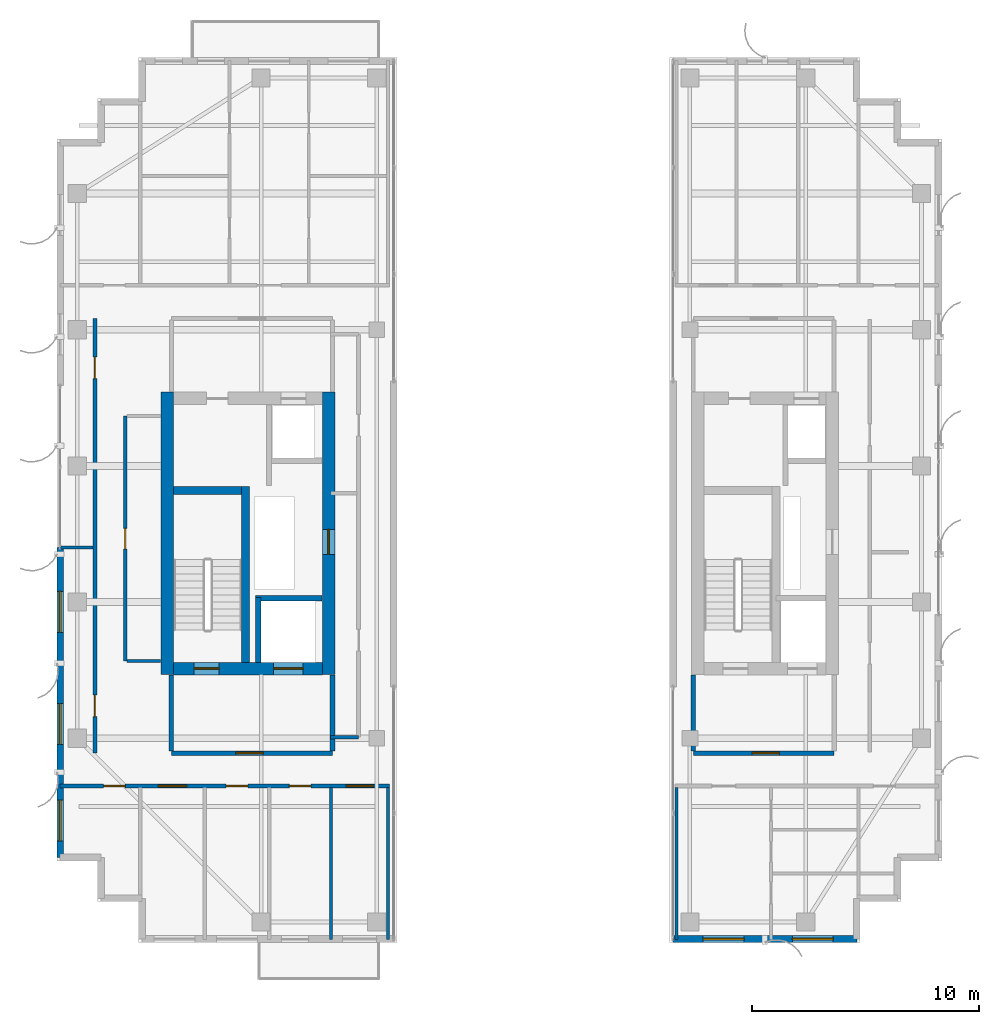
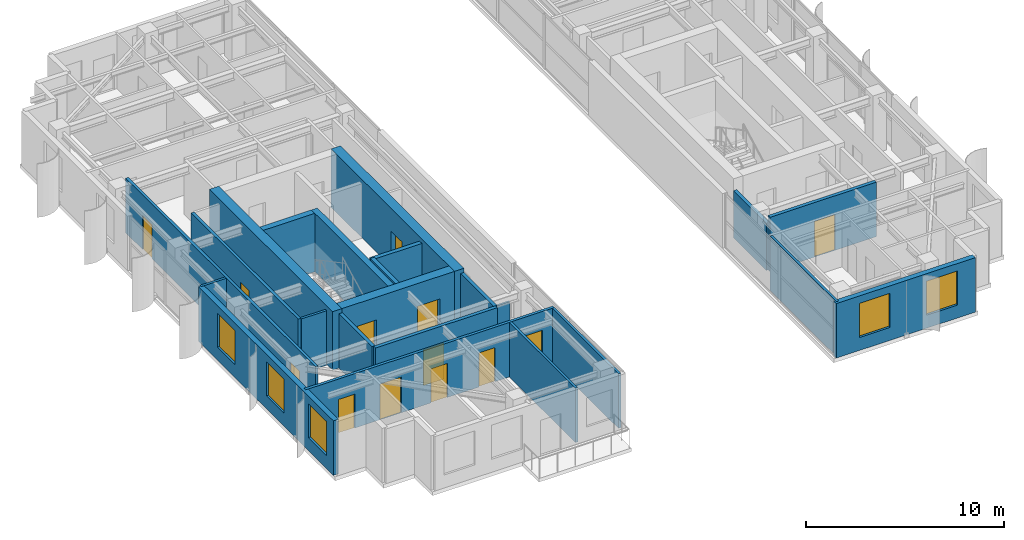
# One storey, part 17 of 23: 23 walls, 13 doors, 5 windows, 18 openings.
"""IFC4 building model written with IfcOpenShell, lengths in metres."""

from ifc_helpers import new_model, si_unit, direction, frame, frame_2d, origin, place, context, subcontext, project, spatial, rectangle, extrude, source, transform, mapped, material, layer, layer_set, type_object, element, fill, save


model = new_model("IFC4")

# Units and contexts
model_context = context("Model", 3, precision=1e-05, world=origin(), true_north=direction((0.0, 1.0)))
body_context = subcontext(model_context, "Body", "Model", "MODEL_VIEW")
ifc_project = project(units=[si_unit("LENGTHUNIT", "METRE"), si_unit("AREAUNIT", "SQUARE_METRE"), si_unit("VOLUMEUNIT", "CUBIC_METRE"), si_unit("PLANEANGLEUNIT", "RADIAN"), si_unit("MASSUNIT", "GRAM", prefix="KILO")], contexts=[model_context])

# Site, building, storey
site_placement = place(None, origin())
site = spatial("IfcSite", under=ifc_project, at=site_placement, CompositionType="ELEMENT")
building_placement = place(site_placement, origin())
building = spatial("IfcBuilding", under=site, at=building_placement, Name="Khoralis Quay Care Tower", CompositionType="ELEMENT")
storey_placement = place(building_placement, frame((0.0, 0.0, 245.699951171875)))
storey = spatial("IfcBuildingStorey", under=building, at=storey_placement, Name="L64", CompositionType="ELEMENT", Elevation=245.699951171875)

# Wall, opening, door
ifc_material_1 = material(Name="Gypsum plasterboard on acoustic metal stud")
ifc_layer_1 = layer(ifc_material_1, 0.199951171875)
ifc_layer_set_1 = layer_set([ifc_layer_1], Name="Gypsum plasterboard on acoustic metal stud")
wall_type_1 = type_object("IfcWallType", Name="WL-COMP-200", PredefinedType="PARTITIONING", material=ifc_layer_set_1)
wall_1_placement = place(storey_placement, frame((8.050048828125, 11.35009765625, 0.0), z_axis=(0.0, 0.0, 1.0), x_axis=(1.0, 0.0, 0.0)))
wall_1 = element("IfcWall", 1, at=wall_1_placement, inside=storey, type_object=wall_type_1, Name="L64 West Firefighting Lobby South Wall", PredefinedType="PARTITIONING", context=body_context, shape_type="SweptSolid", body=[
    extrude(rectangle(XDim=7.099853515625, YDim=0.199951171875, at=frame_2d((3.5498046875, 0.0))), origin(), (0.0, 0.0, 1.0), 3.360107421875),
])
opening_1_placement = place(wall_1_placement, frame((2.846435546875, 0.0, 0.0)))
opening_1 = element("IfcOpeningElement", 2, at=opening_1_placement, cuts=wall_1, Name="Opening FD1", PredefinedType="OPENING", context=body_context, shape_type="SweptSolid", body=[
    extrude(rectangle(XDim=1.199951171875, YDim=2.199951171875, at=frame_2d((0.60009765625, 1.10009765625))), frame((0.0, 0.10986328125, 0.0), z_axis=(0.0, -1.0, 0.0), x_axis=(1.0, 0.0, 0.0)), (0.0, 0.0, 1.0), 0.219970703125),
])
ifc_material_2 = material(Name="Fire-rated painted steel", Category="steel")
door_type_1 = type_object("IfcDoorType", Name="DR-FFL-1200X2200", OperationType="NOTDEFINED", PredefinedType="DOOR", material=ifc_material_2)
shared_shape_1 = source(origin(), body_context, "Body", "SweptSolid", [
    extrude(rectangle(XDim=1.199951171875, YDim=2.199951171875, at=frame_2d((0.60009765625, 1.10009765625))), frame((0.0, 0.02490234375, 0.0), z_axis=(0.0, -1.0, 0.0), x_axis=(1.0, 0.0, 0.0)), (0.0, 0.0, 1.0), 0.050048828125),
])
door_1_placement = place(opening_1_placement, origin())
door_1 = element("IfcDoor", 3, at=door_1_placement, inside=storey, type_object=door_type_1, Name="L64 West Firefighting Lobby Fire Door", OperationType="SINGLE_SWING_RIGHT", OverallHeight=2.199951171875, OverallWidth=1.199951171875, PredefinedType="DOOR", context=body_context, shape_type="MappedRepresentation", body=[
    mapped(shared_shape_1, transform((0.0, 0.0, 0.0), scale=1.0)),
])
fill(opening_1, door_1)

# Walls
for number, where, z_axis, x_axis, name in (
    (4, (8.050048828125, 11.445068359375, 0.0), (0.0, 0.0, 1.0), (0.0, 1.0, 0.0), "L64 West Firefighting Lobby West Wall"),
    (5, (15.14990234375, 11.445068359375, 0.0), (0.0, 0.0, 1.0), (0.0, 1.0, 0.0), "L64 West Firefighting Lobby East Wall"),
):
    element("IfcWall", number, at=place(storey_placement, frame(where, z_axis=z_axis, x_axis=x_axis)), inside=storey, type_object=wall_type_1, Name=name, PredefinedType="PARTITIONING", context=body_context, shape_type="SweptSolid", body=[
        extrude(rectangle(XDim=3.3349609375, YDim=0.199951171875, at=frame_2d((1.66748046875, 0.0))), origin(), (0.0, 0.0, 1.0), 3.360107421875),
    ])

# Wall, opening, door
wall_2_placement = place(storey_placement, frame((31.050048828125, 11.35009765625, 0.0), z_axis=(0.0, 0.0, 1.0), x_axis=(1.0, 0.0, 0.0)))
wall_2 = element("IfcWall", 6, at=wall_2_placement, inside=storey, type_object=wall_type_1, Name="L64 East Firefighting Lobby South Wall", PredefinedType="PARTITIONING", context=body_context, shape_type="SweptSolid", body=[
    extrude(rectangle(XDim=6.199951171875, YDim=0.199951171875, at=frame_2d((3.10009765625, 0.0))), origin(), (0.0, 0.0, 1.0), 3.360107421875),
])
opening_2_placement = place(wall_2_placement, frame((2.585693359375, 0.0, 0.0)))
opening_2 = element("IfcOpeningElement", 7, at=opening_2_placement, cuts=wall_2, Name="Opening FD1", PredefinedType="OPENING", context=body_context, shape_type="SweptSolid", body=[
    extrude(rectangle(XDim=1.199951171875, YDim=2.199951171875, at=frame_2d((0.60009765625, 1.10009765625))), frame((0.0, 0.10986328125, 0.0), z_axis=(0.0, -1.0, 0.0), x_axis=(1.0, 0.0, 0.0)), (0.0, 0.0, 1.0), 0.219970703125),
])
door_2_placement = place(opening_2_placement, origin())
door_2 = element("IfcDoor", 8, at=door_2_placement, inside=storey, type_object=door_type_1, Name="L64 East Firefighting Lobby Fire Door", OperationType="SINGLE_SWING_LEFT", OverallHeight=2.199951171875, OverallWidth=1.199951171875, PredefinedType="DOOR", context=body_context, shape_type="MappedRepresentation", body=[
    mapped(shared_shape_1, transform((0.0, 0.0, 0.0), scale=1.0)),
])
fill(opening_2, door_2)

# Walls
wall_3_placement = place(storey_placement, frame((31.050048828125, 11.445068359375, 0.0), z_axis=(0.0, 0.0, 1.0), x_axis=(0.0, 1.0, 0.0)))
element("IfcWall", 9, at=wall_3_placement, inside=storey, type_object=wall_type_1, Name="L64 East Firefighting Lobby West Wall", PredefinedType="PARTITIONING", context=body_context, shape_type="SweptSolid", body=[
    extrude(rectangle(XDim=3.3349609375, YDim=0.199951171875, at=frame_2d((1.66748046875, 0.0))), origin(), (0.0, 0.0, 1.0), 2.901123046875),
])
ifc_material_3 = material(Name="Concrete C65/80", Category="concrete")
ifc_layer_2 = layer(ifc_material_3, 0.550048828125)
ifc_layer_set_2 = layer_set([ifc_layer_2], Name="Concrete C65/80")
wall_type_2 = type_object("IfcWallType", Name="WL-CORE-550", PredefinedType="SHEAR", material=ifc_layer_set_2)
wall_4_placement = place(storey_placement, frame((7.875, 14.800048828125, 0.0), z_axis=(0.0, 0.0, 1.0), x_axis=(0.0, 1.0, 0.0)))
element("IfcWall", 10, at=wall_4_placement, inside=storey, type_object=wall_type_2, Name="L64 WCORE West Shear Wall", PredefinedType="SHEAR", context=body_context, shape_type="SweptSolid", body=[
    extrude(rectangle(XDim=12.449951171875, YDim=0.550048828125, at=frame_2d((6.22509765625, 0.0))), origin(), (0.0, 0.0, 1.0), 3.60009765625),
])

# Wall, opening, door
wall_5_placement = place(storey_placement, frame((14.97509765625, 14.800048828125, 0.0), z_axis=(0.0, 0.0, 1.0), x_axis=(0.0, 1.0, 0.0)))
wall_5 = element("IfcWall", 11, at=wall_5_placement, inside=storey, type_object=wall_type_2, Name="L64 WCORE East Shear Wall", PredefinedType="SHEAR", context=body_context, shape_type="SweptSolid", body=[
    extrude(rectangle(XDim=12.449951171875, YDim=0.550048828125, at=frame_2d((6.22509765625, 0.0))), origin(), (0.0, 0.0, 1.0), 3.60009765625),
])
opening_3_placement = place(wall_5_placement, frame((5.300048828125, 0.0, 0.0)))
opening_3 = element("IfcOpeningElement", 12, at=opening_3_placement, cuts=wall_5, Name="Opening SD1", PredefinedType="OPENING", context=body_context, shape_type="SweptSolid", body=[
    extrude(rectangle(XDim=1.10009765625, YDim=2.199951171875, at=frame_2d((0.550048828125, 1.10009765625))), frame((0.0, 0.28515625, 0.0), z_axis=(0.0, -1.0, 0.0), x_axis=(1.0, 0.0, 0.0)), (0.0, 0.0, 1.0), 0.570068359375),
])
door_type_2 = type_object("IfcDoorType", Name="DR-STAIR-1100X2200", OperationType="NOTDEFINED", PredefinedType="DOOR", material=ifc_material_2)
shared_shape_2 = source(origin(), body_context, "Body", "SweptSolid", [
    extrude(rectangle(XDim=1.10009765625, YDim=2.199951171875, at=frame_2d((0.550048828125, 1.10009765625))), frame((0.0, 0.02490234375, 0.0), z_axis=(0.0, -1.0, 0.0), x_axis=(1.0, 0.0, 0.0)), (0.0, 0.0, 1.0), 0.050048828125),
])
door_3_placement = place(opening_3_placement, origin())
door_3 = element("IfcDoor", 13, at=door_3_placement, inside=storey, type_object=door_type_2, Name="L64 West MEP Riser Door", OperationType="SINGLE_SWING_RIGHT", OverallHeight=2.199951171875, OverallWidth=1.10009765625, PredefinedType="DOOR", context=body_context, shape_type="MappedRepresentation", body=[
    mapped(shared_shape_2, transform((0.0, 0.0, 0.0), scale=1.0)),
])
fill(opening_3, door_3)

# Wall, openings, doors
wall_6_placement = place(storey_placement, frame((8.14990234375, 15.074951171875, 0.0), z_axis=(0.0, 0.0, 1.0), x_axis=(1.0, 0.0, 0.0)))
wall_6 = element("IfcWall", 14, at=wall_6_placement, inside=storey, type_object=wall_type_2, Name="L64 WCORE South Shear Wall", PredefinedType="SHEAR", context=body_context, shape_type="SweptSolid", body=[
    extrude(rectangle(XDim=6.550048828125, YDim=0.550048828125, at=frame_2d((3.27490234375, 0.0))), origin(), (0.0, 0.0, 1.0), 3.60009765625),
])
opening_4_placement = place(wall_6_placement, frame((0.89990234375, 0.0, 0.0)))
opening_4 = element("IfcOpeningElement", 15, at=opening_4_placement, cuts=wall_6, Name="Opening SD1", PredefinedType="OPENING", context=body_context, shape_type="SweptSolid", body=[
    extrude(rectangle(XDim=1.10009765625, YDim=2.199951171875, at=frame_2d((0.550048828125, 1.10009765625))), frame((0.0, 0.28515625, 0.0), z_axis=(0.0, -1.0, 0.0), x_axis=(1.0, 0.0, 0.0)), (0.0, 0.0, 1.0), 0.570068359375),
])
opening_5_placement = place(wall_6_placement, frame((4.39990234375, 0.0, 0.0)))
opening_5 = element("IfcOpeningElement", 16, at=opening_5_placement, cuts=wall_6, Name="Opening LD2", PredefinedType="OPENING", context=body_context, shape_type="SweptSolid", body=[
    extrude(rectangle(XDim=1.300048828125, YDim=2.199951171875, at=frame_2d((0.64990234375, 1.10009765625))), frame((0.0, 0.28515625, 0.0), z_axis=(0.0, -1.0, 0.0), x_axis=(1.0, 0.0, 0.0)), (0.0, 0.0, 1.0), 0.570068359375),
])
door_4_placement = place(opening_4_placement, origin())
door_4 = element("IfcDoor", 17, at=door_4_placement, inside=storey, type_object=door_type_2, Name="L64 Stair ST-T1 Fire Door", OperationType="SINGLE_SWING_RIGHT", OverallHeight=2.199951171875, OverallWidth=1.10009765625, PredefinedType="DOOR", context=body_context, shape_type="MappedRepresentation", body=[
    mapped(shared_shape_2, transform((0.0, 0.0, 0.0), scale=1.0)),
])
fill(opening_4, door_4)
ifc_material_4 = material(Name="Brushed stainless steel", Category="steel")
door_type_3 = type_object("IfcDoorType", Name="DR-LIFT-1300X2200", OperationType="SLIDING_TO_RIGHT", PredefinedType="DOOR", material=ifc_material_4)
shared_shape_3 = source(origin(), body_context, "Body", "SweptSolid", [
    extrude(rectangle(XDim=1.300048828125, YDim=2.199951171875, at=frame_2d((0.64990234375, 1.10009765625))), frame((0.0, 0.02490234375, 0.0), z_axis=(0.0, -1.0, 0.0), x_axis=(1.0, 0.0, 0.0)), (0.0, 0.0, 1.0), 0.050048828125),
])
door_5_placement = place(opening_5_placement, origin())
door_5 = element("IfcDoor", 18, at=door_5_placement, inside=storey, type_object=door_type_3, Name="L64 Firefighting Lift FFL-1 Landing Door", OperationType="SLIDING_TO_RIGHT", OverallHeight=2.199951171875, OverallWidth=1.300048828125, PredefinedType="DOOR", context=body_context, shape_type="MappedRepresentation", body=[
    mapped(shared_shape_3, transform((0.0, 0.0, 0.0), scale=1.0)),
])
fill(opening_5, door_5)

# Wall, opening, door
ifc_layer_3 = layer(ifc_material_1, 0.1650390625)
ifc_layer_set_3 = layer_set([ifc_layer_3], Name="Gypsum plasterboard on acoustic metal stud")
wall_type_3 = type_object("IfcWallType", Name="WL-CORR-165", PredefinedType="PARTITIONING", material=ifc_layer_set_3)
wall_7_placement = place(storey_placement, frame((6.02001953125, 15.39990234375, 0.0), z_axis=(0.0, 0.0, 1.0), x_axis=(0.0, 1.0, 0.0)))
wall_7 = element("IfcWall", 19, at=wall_7_placement, inside=storey, type_object=wall_type_3, Name="L64 West Core Service Flank Wall", PredefinedType="PARTITIONING", context=body_context, shape_type="SweptSolid", body=[
    extrude(rectangle(XDim=10.800048828125, YDim=0.1650390625, at=frame_2d((5.39990234375, 0.0))), origin(), (0.0, 0.0, 1.0), 3.360107421875),
])
opening_6_placement = place(wall_7_placement, frame((4.949951171875, 0.0, 0.0)))
opening_6 = element("IfcOpeningElement", 20, at=opening_6_placement, cuts=wall_7, Name="Opening WD1", PredefinedType="OPENING", context=body_context, shape_type="SweptSolid", body=[
    extrude(rectangle(XDim=0.89990234375, YDim=2.10009765625, at=frame_2d((0.449951171875, 1.050048828125))), frame((0.0, 0.092529296875, 0.0), z_axis=(0.0, -1.0, 0.0), x_axis=(1.0, 0.0, 0.0)), (0.0, 0.0, 1.0), 0.18505859375),
])
ifc_material_5 = material(Name="Acoustic hardwood timber", Category="wood")
door_type_4 = type_object("IfcDoorType", Name="DR-BATH-900X2100", OperationType="NOTDEFINED", PredefinedType="DOOR", material=ifc_material_5)
shared_shape_4 = source(origin(), body_context, "Body", "SweptSolid", [
    extrude(rectangle(XDim=0.89990234375, YDim=2.10009765625, at=frame_2d((0.449951171875, 1.050048828125))), frame((0.0, 0.02490234375, 0.0), z_axis=(0.0, -1.0, 0.0), x_axis=(1.0, 0.0, 0.0)), (0.0, 0.0, 1.0), 0.050048828125),
])
door_6_placement = place(opening_6_placement, frame((0.89990234375, 0.0, 0.0), z_axis=(0.0, 0.0, 1.0), x_axis=(-1.0, 0.0, 0.0)))
door_6 = element("IfcDoor", 21, at=door_6_placement, inside=storey, type_object=door_type_4, Name="L64 Housekeeping & Public Accessible WC Door", OperationType="SINGLE_SWING_LEFT", OverallHeight=2.10009765625, OverallWidth=0.89990234375, PredefinedType="DOOR", context=body_context, shape_type="MappedRepresentation", body=[
    mapped(shared_shape_4, transform((0.0, 0.0, 0.0), scale=1.0)),
])
fill(opening_6, door_6)

# Wall, openings, doors
wall_8_placement = place(storey_placement, frame((3.14501953125, 9.89990234375, 0.0), z_axis=(0.0, 0.0, 1.0), x_axis=(1.0, 0.0, 0.0)))
wall_8 = element("IfcWall", 22, at=wall_8_placement, inside=storey, type_object=wall_type_3, Name="L64 West Wing South Corridor Wall", PredefinedType="PARTITIONING", context=body_context, shape_type="SweptSolid", body=[
    extrude(rectangle(XDim=14.5048828125, YDim=0.1650390625, at=frame_2d((7.25244140625, 0.0))), origin(), (0.0, 0.0, 1.0), 3.360107421875),
])
opening_7_placement = place(wall_8_placement, frame((4.330078125, 0.0, 0.0)))
opening_7 = element("IfcOpeningElement", 23, at=opening_7_placement, cuts=wall_8, Name="Opening CD1", PredefinedType="OPENING", context=body_context, shape_type="SweptSolid", body=[
    extrude(rectangle(XDim=1.25, YDim=2.199951171875, at=frame_2d((0.625, 1.10009765625))), frame((0.0, 0.092529296875, 0.0), z_axis=(0.0, -1.0, 0.0), x_axis=(1.0, 0.0, 0.0)), (0.0, 0.0, 1.0), 0.18505859375),
])
opening_8_placement = place(wall_8_placement, frame((7.320068359375, 0.0, 0.0)))
opening_8 = element("IfcOpeningElement", 24, at=opening_8_placement, cuts=wall_8, Name="Opening ID1", PredefinedType="OPENING", context=body_context, shape_type="SweptSolid", body=[
    extrude(rectangle(XDim=0.949951171875, YDim=2.10009765625, at=frame_2d((0.47509765625, 1.050048828125))), frame((0.0, 0.092529296875, 0.0), z_axis=(0.0, -1.0, 0.0), x_axis=(1.0, 0.0, 0.0)), (0.0, 0.0, 1.0), 0.18505859375),
])
opening_9_placement = place(wall_8_placement, frame((10.10498046875, 0.0, 0.0)))
opening_9 = element("IfcOpeningElement", 25, at=opening_9_placement, cuts=wall_8, Name="Opening ID1", PredefinedType="OPENING", context=body_context, shape_type="SweptSolid", body=[
    extrude(rectangle(XDim=0.949951171875, YDim=2.10009765625, at=frame_2d((0.47509765625, 1.050048828125))), frame((0.0, 0.092529296875, 0.0), z_axis=(0.0, -1.0, 0.0), x_axis=(1.0, 0.0, 0.0)), (0.0, 0.0, 1.0), 0.18505859375),
])
opening_10_placement = place(wall_8_placement, frame((12.60009765625, 0.0, 0.0)))
opening_10 = element("IfcOpeningElement", 26, at=opening_10_placement, cuts=wall_8, Name="Opening FD1", PredefinedType="OPENING", context=body_context, shape_type="SweptSolid", body=[
    extrude(rectangle(XDim=1.199951171875, YDim=2.199951171875, at=frame_2d((0.60009765625, 1.10009765625))), frame((0.0, 0.092529296875, 0.0), z_axis=(0.0, -1.0, 0.0), x_axis=(1.0, 0.0, 0.0)), (0.0, 0.0, 1.0), 0.18505859375),
])
opening_11_placement = place(wall_8_placement, frame((1.919921875, 0.0, 0.0)))
opening_11 = element("IfcOpeningElement", 27, at=opening_11_placement, cuts=wall_8, Name="Opening ID1", PredefinedType="OPENING", context=body_context, shape_type="SweptSolid", body=[
    extrude(rectangle(XDim=0.949951171875, YDim=2.10009765625, at=frame_2d((0.47509765625, 1.050048828125))), frame((0.0, 0.092529296875, 0.0), z_axis=(0.0, -1.0, 0.0), x_axis=(1.0, 0.0, 0.0)), (0.0, 0.0, 1.0), 0.18505859375),
])
door_7_placement = place(opening_10_placement, frame((1.199951171875, 0.0, 0.0), z_axis=(0.0, 0.0, 1.0), x_axis=(-1.0, 0.0, 0.0)))
door_7 = element("IfcDoor", 28, at=door_7_placement, inside=storey, type_object=door_type_1, Name="L64 Senior Wellness Pharmacy Shop Door", OperationType="DOUBLE_DOOR_SINGLE_SWING", OverallHeight=2.199951171875, OverallWidth=1.199951171875, PredefinedType="DOOR", context=body_context, shape_type="MappedRepresentation", body=[
    mapped(shared_shape_1, transform((0.0, 0.0, 0.0), scale=1.0)),
])
fill(opening_10, door_7)
door_type_5 = type_object("IfcDoorType", Name="DR-CARE-1250X2200", OperationType="NOTDEFINED", PredefinedType="DOOR", material=ifc_material_5)
shared_shape_5 = source(origin(), body_context, "Body", "SweptSolid", [
    extrude(rectangle(XDim=1.25, YDim=2.199951171875, at=frame_2d((0.625, 1.10009765625))), frame((0.0, 0.02490234375, 0.0), z_axis=(0.0, -1.0, 0.0), x_axis=(1.0, 0.0, 0.0)), (0.0, 0.0, 1.0), 0.050048828125),
])
door_8_placement = place(opening_7_placement, frame((1.25, 0.0, 0.0), z_axis=(0.0, 0.0, 1.0), x_axis=(-1.0, 0.0, 0.0)))
door_8 = element("IfcDoor", 29, at=door_8_placement, inside=storey, type_object=door_type_5, Name="L64 Geriatric Consultation Clinic Door", OperationType="SINGLE_SWING_LEFT", OverallHeight=2.199951171875, OverallWidth=1.25, PredefinedType="DOOR", context=body_context, shape_type="MappedRepresentation", body=[
    mapped(shared_shape_5, transform((0.0, 0.0, 0.0), scale=1.0)),
])
fill(opening_7, door_8)
door_type_6 = type_object("IfcDoorType", Name="DR-ROOM-950X2100", OperationType="NOTDEFINED", PredefinedType="DOOR", material=ifc_material_5)
shared_shape_6 = source(origin(), body_context, "Body", "SweptSolid", [
    extrude(rectangle(XDim=0.949951171875, YDim=2.10009765625, at=frame_2d((0.47509765625, 1.050048828125))), frame((0.0, 0.02490234375, 0.0), z_axis=(0.0, -1.0, 0.0), x_axis=(1.0, 0.0, 0.0)), (0.0, 0.0, 1.0), 0.050048828125),
])
door_9_placement = place(opening_8_placement, frame((0.949951171875, 0.0, 0.0), z_axis=(0.0, 0.0, 1.0), x_axis=(-1.0, 0.0, 0.0)))
door_9 = element("IfcDoor", 30, at=door_9_placement, inside=storey, type_object=door_type_6, Name="L64 Family Case Conference Room Door", OperationType="SINGLE_SWING_LEFT", OverallHeight=2.10009765625, OverallWidth=0.949951171875, PredefinedType="DOOR", context=body_context, shape_type="MappedRepresentation", body=[
    mapped(shared_shape_6, transform((0.0, 0.0, 0.0), scale=1.0)),
])
fill(opening_8, door_9)
door_10_placement = place(opening_9_placement, frame((0.949951171875, 0.0, 0.0), z_axis=(0.0, 0.0, 1.0), x_axis=(-1.0, 0.0, 0.0)))
door_10 = element("IfcDoor", 31, at=door_10_placement, inside=storey, type_object=door_type_6, Name="L64 Care Coordination Office Door", OperationType="SINGLE_SWING_RIGHT", OverallHeight=2.10009765625, OverallWidth=0.949951171875, PredefinedType="DOOR", context=body_context, shape_type="MappedRepresentation", body=[
    mapped(shared_shape_6, transform((0.0, 0.0, 0.0), scale=1.0)),
])
fill(opening_9, door_10)
door_11_placement = place(opening_11_placement, frame((0.949951171875, 0.0, 0.0), z_axis=(0.0, 0.0, 1.0), x_axis=(-1.0, 0.0, 0.0)))
door_11 = element("IfcDoor", 32, at=door_11_placement, inside=storey, type_object=door_type_6, Name="L64 SW Corner Door", OperationType="SINGLE_SWING_LEFT", OverallHeight=2.10009765625, OverallWidth=0.949951171875, PredefinedType="DOOR", context=body_context, shape_type="MappedRepresentation", body=[
    mapped(shared_shape_6, transform((0.0, 0.0, 0.0), scale=1.0)),
])
fill(opening_11, door_11)

wall_9_placement = place(storey_placement, frame((4.679931640625, 11.35009765625, 0.0), z_axis=(0.0, 0.0, 1.0), x_axis=(0.0, 1.0, 0.0)))
wall_9 = element("IfcWall", 33, at=wall_9_placement, inside=storey, type_object=wall_type_3, Name="L64 West Mid South Entry Wall", PredefinedType="PARTITIONING", context=body_context, shape_type="SweptSolid", body=[
    extrude(rectangle(XDim=19.14990234375, YDim=0.1650390625, at=frame_2d((9.574951171875, 0.0))), origin(), (0.0, 0.0, 1.0), 3.360107421875),
])
opening_12_placement = place(wall_9_placement, frame((1.60009765625, 0.0, 0.0)))
opening_12 = element("IfcOpeningElement", 34, at=opening_12_placement, cuts=wall_9, Name="Opening ID1", PredefinedType="OPENING", context=body_context, shape_type="SweptSolid", body=[
    extrude(rectangle(XDim=0.949951171875, YDim=2.10009765625, at=frame_2d((0.47509765625, 1.050048828125))), frame((0.0, 0.092529296875, 0.0), z_axis=(0.0, -1.0, 0.0), x_axis=(1.0, 0.0, 0.0)), (0.0, 0.0, 1.0), 0.18505859375),
])
opening_13_placement = place(wall_9_placement, frame((16.5, 0.0, 0.0)))
opening_13 = element("IfcOpeningElement", 35, at=opening_13_placement, cuts=wall_9, Name="Opening ID1", PredefinedType="OPENING", context=body_context, shape_type="SweptSolid", body=[
    extrude(rectangle(XDim=0.949951171875, YDim=2.10009765625, at=frame_2d((0.47509765625, 1.050048828125))), frame((0.0, 0.092529296875, 0.0), z_axis=(0.0, -1.0, 0.0), x_axis=(1.0, 0.0, 0.0)), (0.0, 0.0, 1.0), 0.18505859375),
])
door_12_placement = place(opening_12_placement, frame((0.949951171875, 0.0, 0.0), z_axis=(0.0, 0.0, 1.0), x_axis=(-1.0, 0.0, 0.0)))
door_12 = element("IfcDoor", 36, at=door_12_placement, inside=storey, type_object=door_type_6, Name="L64 West Waterfront Living Suite Door", OperationType="SINGLE_SWING_LEFT", OverallHeight=2.10009765625, OverallWidth=0.949951171875, PredefinedType="DOOR", context=body_context, shape_type="MappedRepresentation", body=[
    mapped(shared_shape_6, transform((0.0, 0.0, 0.0), scale=1.0)),
])
fill(opening_12, door_12)
door_13_placement = place(opening_13_placement, frame((0.949951171875, 0.0, 0.0), z_axis=(0.0, 0.0, 1.0), x_axis=(-1.0, 0.0, 0.0)))
door_13 = element("IfcDoor", 37, at=door_13_placement, inside=storey, type_object=door_type_6, Name="L64 West Daylight Care Bedroom Door", OperationType="SINGLE_SWING_RIGHT", OverallHeight=2.10009765625, OverallWidth=0.949951171875, PredefinedType="DOOR", context=body_context, shape_type="MappedRepresentation", body=[
    mapped(shared_shape_6, transform((0.0, 0.0, 0.0), scale=1.0)),
])
fill(opening_13, door_13)

# Wall, openings, windows
ifc_material_6 = material(Name="Precast concrete C45/55", Category="concrete")
ifc_layer_4 = layer(ifc_material_6, 0.300048828125)
ifc_layer_set_4 = layer_set([ifc_layer_4], Name="Precast concrete C45/55")
wall_type_4 = type_object("IfcWallType", Name="WL-EXT-REF-300", PredefinedType="SOLIDWALL", material=ifc_layer_set_4)
wall_10_placement = place(storey_placement, frame((3.14990234375, 20.39990234375, 0.0), z_axis=(0.0, 0.0, 1.0), x_axis=(0.0, -1.0, 0.0)))
wall_10 = element("IfcWall", 38, at=wall_10_placement, inside=storey, type_object=wall_type_4, Name="L64 External Facade Wall WL-EXT-L64-P1-E7B", PredefinedType="SOLIDWALL", context=body_context, shape_type="SweptSolid", body=[
    extrude(rectangle(XDim=13.64990234375, YDim=0.300048828125, at=frame_2d((6.824951171875, 0.0))), origin(), (0.0, 0.0, 1.0), 3.360107421875),
])
opening_14_placement = place(wall_10_placement, frame((1.929931640625, 0.0, 0.800048828125)))
opening_14 = element("IfcOpeningElement", 39, at=opening_14_placement, cuts=wall_10, Name="Opening W2", PredefinedType="OPENING", context=body_context, shape_type="SweptSolid", body=[
    extrude(rectangle(XDim=1.800048828125, YDim=2.10009765625, at=frame_2d((0.89990234375, 1.050048828125))), frame((0.0, 0.16015625, 0.0), z_axis=(0.0, -1.0, 0.0), x_axis=(1.0, 0.0, 0.0)), (0.0, 0.0, 1.0), 0.320068359375),
])
opening_15_placement = place(wall_10_placement, frame((6.8701171875, 0.0, 0.800048828125)))
opening_15 = element("IfcOpeningElement", 40, at=opening_15_placement, cuts=wall_10, Name="Opening W2", PredefinedType="OPENING", context=body_context, shape_type="SweptSolid", body=[
    extrude(rectangle(XDim=1.800048828125, YDim=2.10009765625, at=frame_2d((0.89990234375, 1.050048828125))), frame((0.0, 0.16015625, 0.0), z_axis=(0.0, -1.0, 0.0), x_axis=(1.0, 0.0, 0.0)), (0.0, 0.0, 1.0), 0.320068359375),
])
opening_16_placement = place(wall_10_placement, frame((11.125, 0.0, 0.800048828125)))
opening_16 = element("IfcOpeningElement", 41, at=opening_16_placement, cuts=wall_10, Name="Opening W2", PredefinedType="OPENING", context=body_context, shape_type="SweptSolid", body=[
    extrude(rectangle(XDim=1.800048828125, YDim=2.10009765625, at=frame_2d((0.89990234375, 1.050048828125))), frame((0.0, 0.16015625, 0.0), z_axis=(0.0, -1.0, 0.0), x_axis=(1.0, 0.0, 0.0)), (0.0, 0.0, 1.0), 0.320068359375),
])
ifc_material_7 = material(Name="Low-E solar-control double glazing", Category="glass")
window_type = type_object("IfcWindowType", Name="WN-POD-1800X2100", PartitioningType="SINGLE_PANEL", PredefinedType="WINDOW", material=ifc_material_7)
shared_shape_7 = source(origin(), body_context, "Body", "SweptSolid", [
    extrude(rectangle(XDim=1.800048828125, YDim=2.10009765625, at=frame_2d((0.89990234375, 1.050048828125))), frame((0.0, 0.030029296875, 0.0), z_axis=(0.0, -1.0, 0.0), x_axis=(1.0, 0.0, 0.0)), (0.0, 0.0, 1.0), 0.06005859375),
])
window_1_placement = place(opening_14_placement, origin())
window_1 = element("IfcWindow", 42, at=window_1_placement, inside=storey, type_object=window_type, Name="WN-L64-P1-E7B Facade Window 01", OverallHeight=2.10009765625, OverallWidth=1.800048828125, PartitioningType="SINGLE_PANEL", PredefinedType="WINDOW", context=body_context, shape_type="MappedRepresentation", body=[
    mapped(shared_shape_7, transform((0.0, 0.0, 0.0), scale=1.0)),
])
fill(opening_14, window_1)
window_2_placement = place(opening_15_placement, origin())
window_2 = element("IfcWindow", 43, at=window_2_placement, inside=storey, type_object=window_type, Name="WN-L64-P1-E7B Facade Window 02", OverallHeight=2.10009765625, OverallWidth=1.800048828125, PartitioningType="SINGLE_PANEL", PredefinedType="WINDOW", context=body_context, shape_type="MappedRepresentation", body=[
    mapped(shared_shape_7, transform((0.0, 0.0, 0.0), scale=1.0)),
])
fill(opening_15, window_2)
window_3_placement = place(opening_16_placement, origin())
window_3 = element("IfcWindow", 44, at=window_3_placement, inside=storey, type_object=window_type, Name="WN-L64-P1-E7B Facade Window 03", OverallHeight=2.10009765625, OverallWidth=1.800048828125, PartitioningType="SINGLE_PANEL", PredefinedType="WINDOW", context=body_context, shape_type="MappedRepresentation", body=[
    mapped(shared_shape_7, transform((0.0, 0.0, 0.0), scale=1.0)),
])
fill(opening_16, window_3)

wall_11_placement = place(storey_placement, frame((30.14990234375, 3.14990234375, 0.0), z_axis=(0.0, 0.0, 1.0), x_axis=(1.0, 0.0, 0.0)))
wall_11 = element("IfcWall", 45, at=wall_11_placement, inside=storey, type_object=wall_type_4, Name="L64 External Facade Wall WL-EXT-L64-P2-E0", PredefinedType="SOLIDWALL", context=body_context, shape_type="SweptSolid", body=[
    extrude(rectangle(XDim=8.10009765625, YDim=0.300048828125, at=frame_2d((4.050048828125, 0.0))), origin(), (0.0, 0.0, 1.0), 3.360107421875),
])
opening_17_placement = place(wall_11_placement, frame((1.3349609375, 0.0, 0.800048828125)))
opening_17 = element("IfcOpeningElement", 46, at=opening_17_placement, cuts=wall_11, Name="Opening W2", PredefinedType="OPENING", context=body_context, shape_type="SweptSolid", body=[
    extrude(rectangle(XDim=1.800048828125, YDim=2.10009765625, at=frame_2d((0.89990234375, 1.050048828125))), frame((0.0, 0.16015625, 0.0), z_axis=(0.0, -1.0, 0.0), x_axis=(1.0, 0.0, 0.0)), (0.0, 0.0, 1.0), 0.320068359375),
])
opening_18_placement = place(wall_11_placement, frame((5.260009765625, 0.0, 0.800048828125)))
opening_18 = element("IfcOpeningElement", 47, at=opening_18_placement, cuts=wall_11, Name="Opening W2", PredefinedType="OPENING", context=body_context, shape_type="SweptSolid", body=[
    extrude(rectangle(XDim=1.800048828125, YDim=2.10009765625, at=frame_2d((0.89990234375, 1.050048828125))), frame((0.0, 0.16015625, 0.0), z_axis=(0.0, -1.0, 0.0), x_axis=(1.0, 0.0, 0.0)), (0.0, 0.0, 1.0), 0.320068359375),
])
window_4_placement = place(opening_17_placement, origin())
window_4 = element("IfcWindow", 48, at=window_4_placement, inside=storey, type_object=window_type, Name="WN-L64-P2-E0 Facade Window 01", OverallHeight=2.10009765625, OverallWidth=1.800048828125, PartitioningType="SINGLE_PANEL", PredefinedType="WINDOW", context=body_context, shape_type="MappedRepresentation", body=[
    mapped(shared_shape_7, transform((0.0, 0.0, 0.0), scale=1.0)),
])
fill(opening_17, window_4)
window_5_placement = place(opening_18_placement, origin())
window_5 = element("IfcWindow", 49, at=window_5_placement, inside=storey, type_object=window_type, Name="WN-L64-P2-E0 Facade Window 02", OverallHeight=2.10009765625, OverallWidth=1.800048828125, PartitioningType="SINGLE_PANEL", PredefinedType="WINDOW", context=body_context, shape_type="MappedRepresentation", body=[
    mapped(shared_shape_7, transform((0.0, 0.0, 0.0), scale=1.0)),
])
fill(opening_18, window_5)

# Walls
ifc_material_8 = material(Name="Concrete C40/50", Category="concrete")
ifc_layer_5 = layer(ifc_material_8, 0.35009765625)
ifc_layer_set_5 = layer_set([ifc_layer_5], Name="Concrete C40/50")
wall_type_5 = type_object("IfcWallType", Name="WL-SC-CORE-350", PredefinedType="SHEAR", material=ifc_layer_set_5)
wall_12_placement = place(storey_placement, frame((11.324951171875, 15.35009765625, 0.0), z_axis=(0.0, 0.0, 1.0), x_axis=(0.0, 1.0, 0.0)))
element("IfcWall", 50, at=wall_12_placement, inside=storey, type_object=wall_type_5, Name="L64 Stair ST-T1 Shear Baffle Wall East", PredefinedType="SHEAR", context=body_context, shape_type="SweptSolid", body=[
    extrude(rectangle(XDim=7.75, YDim=0.35009765625, at=frame_2d((3.875, 0.0))), origin(), (0.0, 0.0, 1.0), 3.60009765625),
])
wall_13_placement = place(storey_placement, frame((8.14990234375, 22.925048828125, 0.0), z_axis=(0.0, 0.0, 1.0), x_axis=(1.0, 0.0, 0.0)))
element("IfcWall", 51, at=wall_13_placement, inside=storey, type_object=wall_type_5, Name="L64 Stair ST-T1 Shear Baffle Wall North", PredefinedType="SHEAR", context=body_context, shape_type="SweptSolid", body=[
    extrude(rectangle(XDim=3.0, YDim=0.35009765625, at=frame_2d((1.5, 0.0))), origin(), (0.0, 0.0, 1.0), 3.60009765625),
])
ifc_layer_6 = layer(ifc_material_1, 0.239990234375)
ifc_layer_set_6 = layer_set([ifc_layer_6], Name="Gypsum plasterboard on acoustic metal stud")
wall_type_6 = type_object("IfcWallType", Name="WL-SHAFT-240", PredefinedType="PARTITIONING", material=ifc_layer_set_6)
wall_14_placement = place(storey_placement, frame((11.8798828125, 15.35009765625, 0.0), z_axis=(0.0, 0.0, 1.0), x_axis=(0.0, 1.0, 0.0)))
element("IfcWall", 52, at=wall_14_placement, inside=storey, type_object=wall_type_6, Name="L64 FFL-1 Shaft Wall West", PredefinedType="PARTITIONING", context=body_context, shape_type="SweptSolid", body=[
    extrude(rectangle(XDim=2.849853515625, YDim=0.239990234375, at=frame_2d((1.4248046875, 0.0))), origin(), (0.0, 0.0, 1.0), 3.360107421875),
])
wall_15_placement = place(storey_placement, frame((11.760009765625, 18.169921875, 0.0), z_axis=(0.0, 0.0, 1.0), x_axis=(1.0, 0.0, 0.0)))
element("IfcWall", 53, at=wall_15_placement, inside=storey, type_object=wall_type_6, Name="L64 FFL-1 Shaft Wall North", PredefinedType="PARTITIONING", context=body_context, shape_type="SweptSolid", body=[
    extrude(rectangle(XDim=2.919921875, YDim=0.239990234375, at=frame_2d((1.4599609375, 0.0))), origin(), (0.0, 0.0, 1.0), 3.360107421875),
])
ifc_layer_7 = layer(ifc_material_1, 0.139892578125)
ifc_layer_set_7 = layer_set([ifc_layer_7], Name="Gypsum plasterboard on acoustic metal stud")
wall_type_7 = type_object("IfcWallType", Name="WL-UNIT-140", PredefinedType="PARTITIONING", material=ifc_layer_set_7)
wall_16_placement = place(storey_placement, frame((6.097412109375, 15.39990234375, 0.0), z_axis=(0.0, 0.0, 1.0), x_axis=(1.0, 0.0, 0.0)))
element("IfcWall", 54, at=wall_16_placement, inside=storey, type_object=wall_type_7, Name="L64 West Flank South Cap", PredefinedType="PARTITIONING", context=body_context, shape_type="SweptSolid", body=[
    extrude(rectangle(XDim=1.462646484375, YDim=0.139892578125, at=frame_2d((0.7314453125, 0.0))), origin(), (0.0, 0.0, 1.0), 3.360107421875),
])
wall_17_placement = place(storey_placement, frame((3.14501953125, 20.39990234375, 0.0), z_axis=(0.0, 0.0, 1.0), x_axis=(1.0, 0.0, 0.0)))
element("IfcWall", 55, at=wall_17_placement, inside=storey, type_object=wall_type_7, Name="L64 West Mid Split", PredefinedType="PARTITIONING", context=body_context, shape_type="SweptSolid", body=[
    extrude(rectangle(XDim=1.45751953125, YDim=0.139892578125, at=frame_2d((0.728759765625, 0.0))), origin(), (0.0, 0.0, 1.0), 3.360107421875),
])
for number, where, z_axis, x_axis, name in (
    (56, (15.090087890625, 3.14501953125, 0.0), (0.0, 0.0, 1.0), (0.0, 1.0, 0.0), "L64 WS Demising Wall 3"),
    (57, (17.60009765625, 3.14501953125, 0.0), (0.0, 0.0, 1.0), (0.0, 1.0, 0.0), "L64 WS Demising Wall 4"),
    (58, (30.300048828125, 3.14501953125, 0.0), (0.0, 0.0, 1.0), (0.0, 1.0, 0.0), "L64 ES Demising Wall 0"),
):
    element("IfcWall", number, at=place(storey_placement, frame(where, z_axis=z_axis, x_axis=x_axis)), inside=storey, type_object=wall_type_7, Name=name, PredefinedType="PARTITIONING", context=body_context, shape_type="SweptSolid", body=[
        extrude(rectangle(XDim=6.677490234375, YDim=0.139892578125, at=frame_2d((3.3388671875, 0.0))), origin(), (0.0, 0.0, 1.0), 3.360107421875),
    ])
wall_18_placement = place(storey_placement, frame((15.050048828125, 12.050048828125, 0.0), z_axis=(0.0, 0.0, 1.0), x_axis=(1.0, 0.0, 0.0)))
element("IfcWall", 59, at=wall_18_placement, inside=storey, type_object=wall_type_7, Name="L64 Portal Alcove South Wall", PredefinedType="PARTITIONING", context=body_context, shape_type="SweptSolid", body=[
    extrude(rectangle(XDim=1.25, YDim=0.139892578125, at=frame_2d((0.625, 0.0))), origin(), (0.0, 0.0, 1.0), 2.860107421875),
])

save(model, "model.ifc")
